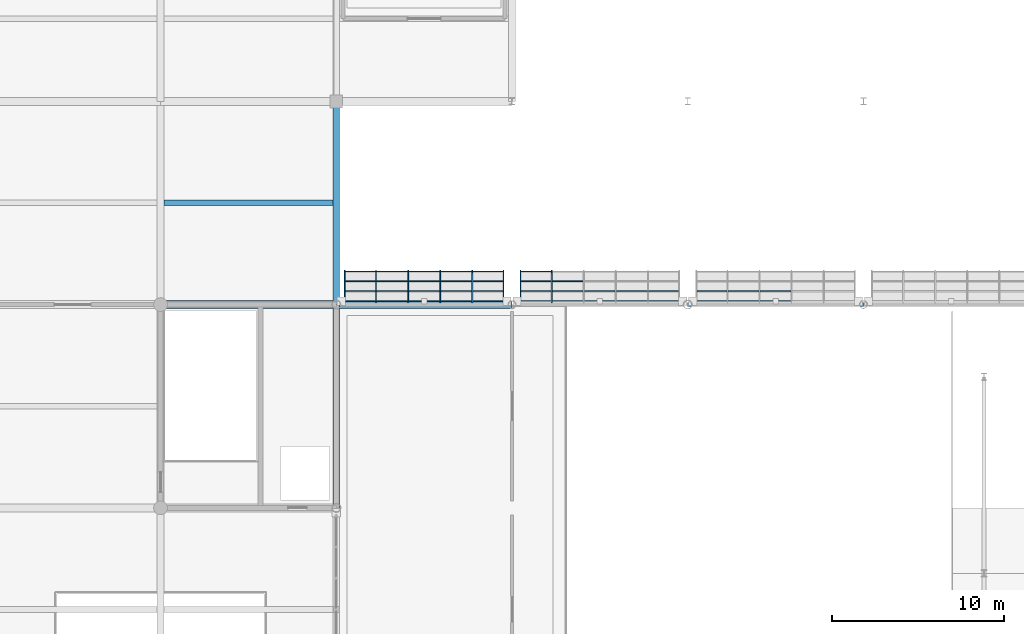
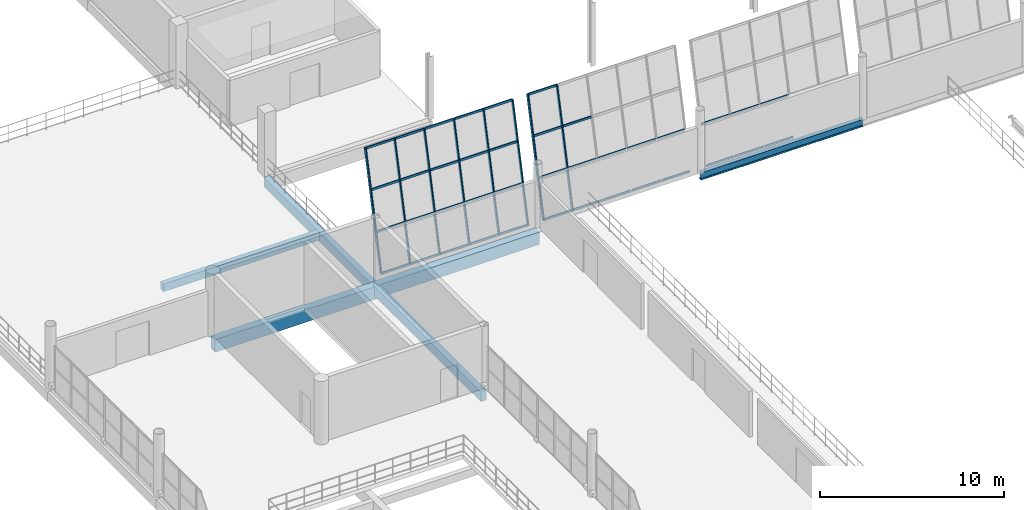
# One storey, part 78 of 157: 47 members, 6 beams, 3 elements without a shape of their own.
"""IFC4 building model written with IfcOpenShell, lengths in metres."""

from ifc_helpers import new_model, si_unit, direction, frame, origin, origin_2d, place, context, subcontext, project, spatial, rectangle, hollow_rectangle, i_section, extrude, material, material_profile, profile_set, type_object, element, aggregate, save


model = new_model("IFC4")

# Units and contexts
model_context = context("Model", 3, precision=1e-05, world=origin(), true_north=direction((0.0, 1.0)))
body_context = subcontext(model_context, "Body", "Model", "MODEL_VIEW")
ifc_project = project(units=[si_unit("LENGTHUNIT", "METRE"), si_unit("AREAUNIT", "SQUARE_METRE"), si_unit("VOLUMEUNIT", "CUBIC_METRE"), si_unit("PLANEANGLEUNIT", "RADIAN"), si_unit("MASSUNIT", "GRAM", prefix="KILO")], contexts=[model_context])

# Site, building, storey
site_placement = place(None, origin())
site = spatial("IfcSite", under=ifc_project, at=site_placement, CompositionType="ELEMENT")
building_placement = place(site_placement, origin())
building = spatial("IfcBuilding", under=site, at=building_placement, Name="Brelvane Convention Centre", CompositionType="ELEMENT")
storey_placement = place(building_placement, frame((0.0, 0.0, 10.800048828125)))
storey = spatial("IfcBuildingStorey", under=building, at=storey_placement, Name="L02", CompositionType="ELEMENT", Elevation=10.800048828125)

# Curtain wall, members
ifc_material_1 = material(Name="Anodised Aluminium Alloy 6063-T6", Category="aluminium")
curtain_wall_type = type_object("IfcCurtainWallType", Name="Curtain Wall CW-HULL-N", PredefinedType="USERDEFINED", material=ifc_material_1)
curtain_wall_1_placement = place(storey_placement, origin())
curtain_wall_1 = element("IfcCurtainWall", 1, at=curtain_wall_1_placement, inside=storey, type_object=curtain_wall_type, Name="Curtain Wall CW-HULL-N L02-HULL-PN-L02-1", ObjectType="UNITISED", PredefinedType="USERDEFINED")
ifc_material_2 = material(Name="Anodised Aluminium Alloy 6063-T6", Category="aluminium")
ifc_material_profile_1 = material_profile(ifc_material_2, hollow_rectangle(XDim=0.074951171875, YDim=0.199951171875, WallThickness=0.0048828125, InnerFilletRadius=0.0048828125, OuterFilletRadius=0.010009765625, at=origin_2d()), Name="ALU-M 200x75x5.0")
ifc_profile_set_1 = profile_set([ifc_material_profile_1], Name="Anodised Aluminium Alloy 6063-T6")
member_type_1 = type_object("IfcMemberType", Name="Curtain Mullion CW-M2", PredefinedType="MULLION", material=ifc_profile_set_1)
member_1_placement = place(storey_placement, frame((163.6875, 88.0, 0.050048828125), z_axis=(0.0, 0.228348908232, 0.973579363026), x_axis=(-1.0, 0.0, 0.0)))
member_1 = element("IfcMember", 2, at=member_1_placement, type_object=member_type_1, Name="CW-HULL-N mullion 1", PredefinedType="MULLION", context=body_context, shape_type="SweptSolid", body=[
    extrude(hollow_rectangle(XDim=0.074951171875, YDim=0.199951171875, WallThickness=0.0048828125, InnerFilletRadius=0.0048828125, OuterFilletRadius=0.010009765625, at=origin_2d()), origin(), (0.0, 0.0, 1.0), 7.54931640625),
])
member_2_placement = place(storey_placement, frame((165.510009765625, 88.0, 0.050048828125), z_axis=(0.0, 0.228348908232, 0.973579363026), x_axis=(-1.0, 0.0, 0.0)))
member_2 = element("IfcMember", 3, at=member_2_placement, type_object=member_type_1, Name="CW-HULL-N mullion 2", PredefinedType="MULLION", context=body_context, shape_type="SweptSolid", body=[
    extrude(hollow_rectangle(XDim=0.074951171875, YDim=0.199951171875, WallThickness=0.0048828125, InnerFilletRadius=0.0048828125, OuterFilletRadius=0.010009765625, at=origin_2d()), origin(), (0.0, 0.0, 1.0), 7.54931640625),
])
member_3_placement = place(storey_placement, frame((167.3701171875, 88.0, 0.050048828125), z_axis=(0.0, 0.228348908232, 0.973579363026), x_axis=(-1.0, 0.0, 0.0)))
member_3 = element("IfcMember", 4, at=member_3_placement, type_object=member_type_1, Name="CW-HULL-N mullion 3", PredefinedType="MULLION", context=body_context, shape_type="SweptSolid", body=[
    extrude(hollow_rectangle(XDim=0.074951171875, YDim=0.199951171875, WallThickness=0.0048828125, InnerFilletRadius=0.0048828125, OuterFilletRadius=0.010009765625, at=origin_2d()), origin(), (0.0, 0.0, 1.0), 7.54931640625),
])
member_4_placement = place(storey_placement, frame((169.22998046875, 88.0, 0.050048828125), z_axis=(0.0, 0.228348908232, 0.973579363026), x_axis=(-1.0, 0.0, 0.0)))
member_4 = element("IfcMember", 5, at=member_4_placement, type_object=member_type_1, Name="CW-HULL-N mullion 4", PredefinedType="MULLION", context=body_context, shape_type="SweptSolid", body=[
    extrude(hollow_rectangle(XDim=0.074951171875, YDim=0.199951171875, WallThickness=0.0048828125, InnerFilletRadius=0.0048828125, OuterFilletRadius=0.010009765625, at=origin_2d()), origin(), (0.0, 0.0, 1.0), 7.54931640625),
])
member_5_placement = place(storey_placement, frame((171.090087890625, 88.0, 0.050048828125), z_axis=(0.0, 0.228348908232, 0.973579363026), x_axis=(-1.0, 0.0, 0.0)))
member_5 = element("IfcMember", 6, at=member_5_placement, type_object=member_type_1, Name="CW-HULL-N mullion 5", PredefinedType="MULLION", context=body_context, shape_type="SweptSolid", body=[
    extrude(hollow_rectangle(XDim=0.074951171875, YDim=0.199951171875, WallThickness=0.0048828125, InnerFilletRadius=0.0048828125, OuterFilletRadius=0.010009765625, at=origin_2d()), origin(), (0.0, 0.0, 1.0), 7.54931640625),
])
member_6_placement = place(storey_placement, frame((172.91259765625, 88.0, 0.050048828125), z_axis=(0.0, 0.228348908232, 0.973579363026), x_axis=(-1.0, 0.0, 0.0)))
member_6 = element("IfcMember", 7, at=member_6_placement, type_object=member_type_1, Name="CW-HULL-N mullion 6", PredefinedType="MULLION", context=body_context, shape_type="SweptSolid", body=[
    extrude(hollow_rectangle(XDim=0.074951171875, YDim=0.199951171875, WallThickness=0.0048828125, InnerFilletRadius=0.0048828125, OuterFilletRadius=0.010009765625, at=origin_2d()), origin(), (0.0, 0.0, 1.0), 7.54931640625),
])

curtain_wall_2_placement = place(storey_placement, origin())
curtain_wall_2 = element("IfcCurtainWall", 8, at=curtain_wall_2_placement, inside=storey, type_object=curtain_wall_type, Name="Curtain Wall CW-HULL-N L02-HULL-PN-L02-2", ObjectType="UNITISED", PredefinedType="USERDEFINED")
member_7_placement = place(storey_placement, frame((173.887451171875, 88.0, 0.050048828125), z_axis=(0.0, 0.228348908232, 0.973579363026), x_axis=(-1.0, 0.0, 0.0)))
member_7 = element("IfcMember", 9, at=member_7_placement, type_object=member_type_1, Name="CW-HULL-N mullion 1", PredefinedType="MULLION", context=body_context, shape_type="SweptSolid", body=[
    extrude(hollow_rectangle(XDim=0.074951171875, YDim=0.199951171875, WallThickness=0.0048828125, InnerFilletRadius=0.0048828125, OuterFilletRadius=0.010009765625, at=origin_2d()), origin(), (0.0, 0.0, 1.0), 7.54931640625),
])
member_8_placement = place(storey_placement, frame((175.7099609375, 88.0, 0.050048828125), z_axis=(0.0, 0.228348908232, 0.973579363026), x_axis=(-1.0, 0.0, 0.0)))
member_8 = element("IfcMember", 10, at=member_8_placement, type_object=member_type_1, Name="CW-HULL-N mullion 2", PredefinedType="MULLION", context=body_context, shape_type="SweptSolid", body=[
    extrude(hollow_rectangle(XDim=0.074951171875, YDim=0.199951171875, WallThickness=0.0048828125, InnerFilletRadius=0.0048828125, OuterFilletRadius=0.010009765625, at=origin_2d()), origin(), (0.0, 0.0, 1.0), 7.54931640625),
])

# Member
ifc_material_3 = material(Name="Anodised Aluminium Alloy 6063-T6", Category="aluminium")
ifc_material_profile_2 = material_profile(ifc_material_3, hollow_rectangle(XDim=0.070068359375, YDim=0.14990234375, WallThickness=0.00439453125, InnerFilletRadius=0.00439453125, OuterFilletRadius=0.009033203125, at=origin_2d()), Name="ALU-T 150x70x4.5")
ifc_profile_set_2 = profile_set([ifc_material_profile_2], Name="Anodised Aluminium Alloy 6063-T6")
member_type_2 = type_object("IfcMemberType", Name="Curtain Transom CW-T2", PredefinedType="USERDEFINED", material=ifc_profile_set_2)
member_9_placement = place(storey_placement, frame((163.72509765625, 88.00830078125, 0.0849609375), z_axis=(1.0, 0.0, 0.0), x_axis=(0.0, 1.0, 0.0)))
member_9 = element("IfcMember", 11, at=member_9_placement, type_object=member_type_2, Name="CW-HULL-N transom 1.1", ObjectType="TRANSOM", PredefinedType="USERDEFINED", context=body_context, shape_type="SweptSolid", body=[
    extrude(hollow_rectangle(XDim=0.070068359375, YDim=0.14990234375, WallThickness=0.00439453125, InnerFilletRadius=0.00439453125, OuterFilletRadius=0.009033203125, at=origin_2d()), origin(), (0.0, 0.0, 1.0), 1.747314453125),
])

member_10_placement = place(storey_placement, frame((163.72509765625, 88.57470703125, 2.5), z_axis=(1.0, 0.0, 0.0), x_axis=(0.0, 1.0, 0.0)))
member_10 = element("IfcMember", 12, at=member_10_placement, type_object=member_type_2, Name="CW-HULL-N transom 1.2", ObjectType="TRANSOM", PredefinedType="USERDEFINED", context=body_context, shape_type="SweptSolid", body=[
    extrude(hollow_rectangle(XDim=0.070068359375, YDim=0.14990234375, WallThickness=0.00439453125, InnerFilletRadius=0.00439453125, OuterFilletRadius=0.009033203125, at=origin_2d()), origin(), (0.0, 0.0, 1.0), 1.747314453125),
])

member_11_placement = place(storey_placement, frame((163.72509765625, 89.149169921875, 4.949951171875), z_axis=(1.0, 0.0, 0.0), x_axis=(0.0, 1.0, 0.0)))
member_11 = element("IfcMember", 13, at=member_11_placement, type_object=member_type_2, Name="CW-HULL-N transom 1.3", ObjectType="TRANSOM", PredefinedType="USERDEFINED", context=body_context, shape_type="SweptSolid", body=[
    extrude(hollow_rectangle(XDim=0.070068359375, YDim=0.14990234375, WallThickness=0.00439453125, InnerFilletRadius=0.00439453125, OuterFilletRadius=0.009033203125, at=origin_2d()), origin(), (0.0, 0.0, 1.0), 1.747314453125),
])

member_12_placement = place(storey_placement, frame((163.72509765625, 89.7158203125, 7.364990234375), z_axis=(1.0, 0.0, 0.0), x_axis=(0.0, 1.0, 0.0)))
member_12 = element("IfcMember", 14, at=member_12_placement, type_object=member_type_2, Name="CW-HULL-N transom 1.4", ObjectType="TRANSOM", PredefinedType="USERDEFINED", context=body_context, shape_type="SweptSolid", body=[
    extrude(hollow_rectangle(XDim=0.070068359375, YDim=0.14990234375, WallThickness=0.00439453125, InnerFilletRadius=0.00439453125, OuterFilletRadius=0.009033203125, at=origin_2d()), origin(), (0.0, 0.0, 1.0), 1.747314453125),
])

member_13_placement = place(storey_placement, frame((165.547607421875, 88.00830078125, 0.0849609375), z_axis=(1.0, 0.0, 0.0), x_axis=(0.0, 1.0, 0.0)))
member_13 = element("IfcMember", 15, at=member_13_placement, type_object=member_type_2, Name="CW-HULL-N transom 2.1", ObjectType="TRANSOM", PredefinedType="USERDEFINED", context=body_context, shape_type="SweptSolid", body=[
    extrude(hollow_rectangle(XDim=0.070068359375, YDim=0.14990234375, WallThickness=0.00439453125, InnerFilletRadius=0.00439453125, OuterFilletRadius=0.009033203125, at=origin_2d()), origin(), (0.0, 0.0, 1.0), 1.784912109375),
])

member_14_placement = place(storey_placement, frame((165.547607421875, 88.57470703125, 2.5), z_axis=(1.0, 0.0, 0.0), x_axis=(0.0, 1.0, 0.0)))
member_14 = element("IfcMember", 16, at=member_14_placement, type_object=member_type_2, Name="CW-HULL-N transom 2.2", ObjectType="TRANSOM", PredefinedType="USERDEFINED", context=body_context, shape_type="SweptSolid", body=[
    extrude(hollow_rectangle(XDim=0.070068359375, YDim=0.14990234375, WallThickness=0.00439453125, InnerFilletRadius=0.00439453125, OuterFilletRadius=0.009033203125, at=origin_2d()), origin(), (0.0, 0.0, 1.0), 1.784912109375),
])

member_15_placement = place(storey_placement, frame((165.547607421875, 89.149169921875, 4.949951171875), z_axis=(1.0, 0.0, 0.0), x_axis=(0.0, 1.0, 0.0)))
member_15 = element("IfcMember", 17, at=member_15_placement, type_object=member_type_2, Name="CW-HULL-N transom 2.3", ObjectType="TRANSOM", PredefinedType="USERDEFINED", context=body_context, shape_type="SweptSolid", body=[
    extrude(hollow_rectangle(XDim=0.070068359375, YDim=0.14990234375, WallThickness=0.00439453125, InnerFilletRadius=0.00439453125, OuterFilletRadius=0.009033203125, at=origin_2d()), origin(), (0.0, 0.0, 1.0), 1.784912109375),
])

member_16_placement = place(storey_placement, frame((165.547607421875, 89.7158203125, 7.364990234375), z_axis=(1.0, 0.0, 0.0), x_axis=(0.0, 1.0, 0.0)))
member_16 = element("IfcMember", 18, at=member_16_placement, type_object=member_type_2, Name="CW-HULL-N transom 2.4", ObjectType="TRANSOM", PredefinedType="USERDEFINED", context=body_context, shape_type="SweptSolid", body=[
    extrude(hollow_rectangle(XDim=0.070068359375, YDim=0.14990234375, WallThickness=0.00439453125, InnerFilletRadius=0.00439453125, OuterFilletRadius=0.009033203125, at=origin_2d()), origin(), (0.0, 0.0, 1.0), 1.784912109375),
])

member_17_placement = place(storey_placement, frame((167.407470703125, 88.00830078125, 0.0849609375), z_axis=(1.0, 0.0, 0.0), x_axis=(0.0, 1.0, 0.0)))
member_17 = element("IfcMember", 19, at=member_17_placement, type_object=member_type_2, Name="CW-HULL-N transom 3.1", ObjectType="TRANSOM", PredefinedType="USERDEFINED", context=body_context, shape_type="SweptSolid", body=[
    extrude(hollow_rectangle(XDim=0.070068359375, YDim=0.14990234375, WallThickness=0.00439453125, InnerFilletRadius=0.00439453125, OuterFilletRadius=0.009033203125, at=origin_2d()), origin(), (0.0, 0.0, 1.0), 1.784912109375),
])

member_18_placement = place(storey_placement, frame((167.407470703125, 88.57470703125, 2.5), z_axis=(1.0, 0.0, 0.0), x_axis=(0.0, 1.0, 0.0)))
member_18 = element("IfcMember", 20, at=member_18_placement, type_object=member_type_2, Name="CW-HULL-N transom 3.2", ObjectType="TRANSOM", PredefinedType="USERDEFINED", context=body_context, shape_type="SweptSolid", body=[
    extrude(hollow_rectangle(XDim=0.070068359375, YDim=0.14990234375, WallThickness=0.00439453125, InnerFilletRadius=0.00439453125, OuterFilletRadius=0.009033203125, at=origin_2d()), origin(), (0.0, 0.0, 1.0), 1.784912109375),
])

member_19_placement = place(storey_placement, frame((167.407470703125, 89.149169921875, 4.949951171875), z_axis=(1.0, 0.0, 0.0), x_axis=(0.0, 1.0, 0.0)))
member_19 = element("IfcMember", 21, at=member_19_placement, type_object=member_type_2, Name="CW-HULL-N transom 3.3", ObjectType="TRANSOM", PredefinedType="USERDEFINED", context=body_context, shape_type="SweptSolid", body=[
    extrude(hollow_rectangle(XDim=0.070068359375, YDim=0.14990234375, WallThickness=0.00439453125, InnerFilletRadius=0.00439453125, OuterFilletRadius=0.009033203125, at=origin_2d()), origin(), (0.0, 0.0, 1.0), 1.784912109375),
])

member_20_placement = place(storey_placement, frame((167.407470703125, 89.7158203125, 7.364990234375), z_axis=(1.0, 0.0, 0.0), x_axis=(0.0, 1.0, 0.0)))
member_20 = element("IfcMember", 22, at=member_20_placement, type_object=member_type_2, Name="CW-HULL-N transom 3.4", ObjectType="TRANSOM", PredefinedType="USERDEFINED", context=body_context, shape_type="SweptSolid", body=[
    extrude(hollow_rectangle(XDim=0.070068359375, YDim=0.14990234375, WallThickness=0.00439453125, InnerFilletRadius=0.00439453125, OuterFilletRadius=0.009033203125, at=origin_2d()), origin(), (0.0, 0.0, 1.0), 1.784912109375),
])

member_21_placement = place(storey_placement, frame((169.267578125, 88.00830078125, 0.0849609375), z_axis=(1.0, 0.0, 0.0), x_axis=(0.0, 1.0, 0.0)))
member_21 = element("IfcMember", 23, at=member_21_placement, type_object=member_type_2, Name="CW-HULL-N transom 4.1", ObjectType="TRANSOM", PredefinedType="USERDEFINED", context=body_context, shape_type="SweptSolid", body=[
    extrude(hollow_rectangle(XDim=0.070068359375, YDim=0.14990234375, WallThickness=0.00439453125, InnerFilletRadius=0.00439453125, OuterFilletRadius=0.009033203125, at=origin_2d()), origin(), (0.0, 0.0, 1.0), 1.784912109375),
])

member_22_placement = place(storey_placement, frame((169.267578125, 88.57470703125, 2.5), z_axis=(1.0, 0.0, 0.0), x_axis=(0.0, 1.0, 0.0)))
member_22 = element("IfcMember", 24, at=member_22_placement, type_object=member_type_2, Name="CW-HULL-N transom 4.2", ObjectType="TRANSOM", PredefinedType="USERDEFINED", context=body_context, shape_type="SweptSolid", body=[
    extrude(hollow_rectangle(XDim=0.070068359375, YDim=0.14990234375, WallThickness=0.00439453125, InnerFilletRadius=0.00439453125, OuterFilletRadius=0.009033203125, at=origin_2d()), origin(), (0.0, 0.0, 1.0), 1.784912109375),
])

member_23_placement = place(storey_placement, frame((169.267578125, 89.149169921875, 4.949951171875), z_axis=(1.0, 0.0, 0.0), x_axis=(0.0, 1.0, 0.0)))
member_23 = element("IfcMember", 25, at=member_23_placement, type_object=member_type_2, Name="CW-HULL-N transom 4.3", ObjectType="TRANSOM", PredefinedType="USERDEFINED", context=body_context, shape_type="SweptSolid", body=[
    extrude(hollow_rectangle(XDim=0.070068359375, YDim=0.14990234375, WallThickness=0.00439453125, InnerFilletRadius=0.00439453125, OuterFilletRadius=0.009033203125, at=origin_2d()), origin(), (0.0, 0.0, 1.0), 1.784912109375),
])

member_24_placement = place(storey_placement, frame((169.267578125, 89.7158203125, 7.364990234375), z_axis=(1.0, 0.0, 0.0), x_axis=(0.0, 1.0, 0.0)))
member_24 = element("IfcMember", 26, at=member_24_placement, type_object=member_type_2, Name="CW-HULL-N transom 4.4", ObjectType="TRANSOM", PredefinedType="USERDEFINED", context=body_context, shape_type="SweptSolid", body=[
    extrude(hollow_rectangle(XDim=0.070068359375, YDim=0.14990234375, WallThickness=0.00439453125, InnerFilletRadius=0.00439453125, OuterFilletRadius=0.009033203125, at=origin_2d()), origin(), (0.0, 0.0, 1.0), 1.784912109375),
])

member_25_placement = place(storey_placement, frame((171.12744140625, 88.00830078125, 0.0849609375), z_axis=(1.0, 0.0, 0.0), x_axis=(0.0, 1.0, 0.0)))
member_25 = element("IfcMember", 27, at=member_25_placement, type_object=member_type_2, Name="CW-HULL-N transom 5.1", ObjectType="TRANSOM", PredefinedType="USERDEFINED", context=body_context, shape_type="SweptSolid", body=[
    extrude(hollow_rectangle(XDim=0.070068359375, YDim=0.14990234375, WallThickness=0.00439453125, InnerFilletRadius=0.00439453125, OuterFilletRadius=0.009033203125, at=origin_2d()), origin(), (0.0, 0.0, 1.0), 1.74755859375),
])

member_26_placement = place(storey_placement, frame((171.12744140625, 88.57470703125, 2.5), z_axis=(1.0, 0.0, 0.0), x_axis=(0.0, 1.0, 0.0)))
member_26 = element("IfcMember", 28, at=member_26_placement, type_object=member_type_2, Name="CW-HULL-N transom 5.2", ObjectType="TRANSOM", PredefinedType="USERDEFINED", context=body_context, shape_type="SweptSolid", body=[
    extrude(hollow_rectangle(XDim=0.070068359375, YDim=0.14990234375, WallThickness=0.00439453125, InnerFilletRadius=0.00439453125, OuterFilletRadius=0.009033203125, at=origin_2d()), origin(), (0.0, 0.0, 1.0), 1.74755859375),
])

member_27_placement = place(storey_placement, frame((171.12744140625, 89.149169921875, 4.949951171875), z_axis=(1.0, 0.0, 0.0), x_axis=(0.0, 1.0, 0.0)))
member_27 = element("IfcMember", 29, at=member_27_placement, type_object=member_type_2, Name="CW-HULL-N transom 5.3", ObjectType="TRANSOM", PredefinedType="USERDEFINED", context=body_context, shape_type="SweptSolid", body=[
    extrude(hollow_rectangle(XDim=0.070068359375, YDim=0.14990234375, WallThickness=0.00439453125, InnerFilletRadius=0.00439453125, OuterFilletRadius=0.009033203125, at=origin_2d()), origin(), (0.0, 0.0, 1.0), 1.74755859375),
])

member_28_placement = place(storey_placement, frame((171.12744140625, 89.7158203125, 7.364990234375), z_axis=(1.0, 0.0, 0.0), x_axis=(0.0, 1.0, 0.0)))
member_28 = element("IfcMember", 30, at=member_28_placement, type_object=member_type_2, Name="CW-HULL-N transom 5.4", ObjectType="TRANSOM", PredefinedType="USERDEFINED", context=body_context, shape_type="SweptSolid", body=[
    extrude(hollow_rectangle(XDim=0.070068359375, YDim=0.14990234375, WallThickness=0.00439453125, InnerFilletRadius=0.00439453125, OuterFilletRadius=0.009033203125, at=origin_2d()), origin(), (0.0, 0.0, 1.0), 1.74755859375),
])

aggregate(curtain_wall_1, [member_1, member_2, member_3, member_4, member_5, member_6, member_9, member_10, member_11, member_12, member_13, member_14, member_15, member_16, member_17, member_18, member_19, member_20, member_21, member_22, member_23, member_24, member_25, member_26, member_27, member_28])

member_29_placement = place(storey_placement, frame((173.925048828125, 88.00830078125, 0.0849609375), z_axis=(1.0, 0.0, 0.0), x_axis=(0.0, 1.0, 0.0)))
member_29 = element("IfcMember", 31, at=member_29_placement, type_object=member_type_2, Name="CW-HULL-N transom 1.1", ObjectType="TRANSOM", PredefinedType="USERDEFINED", context=body_context, shape_type="SweptSolid", body=[
    extrude(hollow_rectangle(XDim=0.070068359375, YDim=0.14990234375, WallThickness=0.00439453125, InnerFilletRadius=0.00439453125, OuterFilletRadius=0.009033203125, at=origin_2d()), origin(), (0.0, 0.0, 1.0), 1.74755859375),
])

member_30_placement = place(storey_placement, frame((173.925048828125, 88.57470703125, 2.5), z_axis=(1.0, 0.0, 0.0), x_axis=(0.0, 1.0, 0.0)))
member_30 = element("IfcMember", 32, at=member_30_placement, type_object=member_type_2, Name="CW-HULL-N transom 1.2", ObjectType="TRANSOM", PredefinedType="USERDEFINED", context=body_context, shape_type="SweptSolid", body=[
    extrude(hollow_rectangle(XDim=0.070068359375, YDim=0.14990234375, WallThickness=0.00439453125, InnerFilletRadius=0.00439453125, OuterFilletRadius=0.009033203125, at=origin_2d()), origin(), (0.0, 0.0, 1.0), 1.74755859375),
])

member_31_placement = place(storey_placement, frame((173.925048828125, 89.149169921875, 4.949951171875), z_axis=(1.0, 0.0, 0.0), x_axis=(0.0, 1.0, 0.0)))
member_31 = element("IfcMember", 33, at=member_31_placement, type_object=member_type_2, Name="CW-HULL-N transom 1.3", ObjectType="TRANSOM", PredefinedType="USERDEFINED", context=body_context, shape_type="SweptSolid", body=[
    extrude(hollow_rectangle(XDim=0.070068359375, YDim=0.14990234375, WallThickness=0.00439453125, InnerFilletRadius=0.00439453125, OuterFilletRadius=0.009033203125, at=origin_2d()), origin(), (0.0, 0.0, 1.0), 1.74755859375),
])

member_32_placement = place(storey_placement, frame((173.925048828125, 89.7158203125, 7.364990234375), z_axis=(1.0, 0.0, 0.0), x_axis=(0.0, 1.0, 0.0)))
member_32 = element("IfcMember", 34, at=member_32_placement, type_object=member_type_2, Name="CW-HULL-N transom 1.4", ObjectType="TRANSOM", PredefinedType="USERDEFINED", context=body_context, shape_type="SweptSolid", body=[
    extrude(hollow_rectangle(XDim=0.070068359375, YDim=0.14990234375, WallThickness=0.00439453125, InnerFilletRadius=0.00439453125, OuterFilletRadius=0.009033203125, at=origin_2d()), origin(), (0.0, 0.0, 1.0), 1.74755859375),
])

member_33_placement = place(storey_placement, frame((175.74755859375, 88.00830078125, 0.0849609375), z_axis=(1.0, 0.0, 0.0), x_axis=(0.0, 1.0, 0.0)))
member_33 = element("IfcMember", 35, at=member_33_placement, type_object=member_type_2, Name="CW-HULL-N transom 2.1", ObjectType="TRANSOM", PredefinedType="USERDEFINED", context=body_context, shape_type="SweptSolid", body=[
    extrude(hollow_rectangle(XDim=0.070068359375, YDim=0.14990234375, WallThickness=0.00439453125, InnerFilletRadius=0.00439453125, OuterFilletRadius=0.009033203125, at=origin_2d()), origin(), (0.0, 0.0, 1.0), 1.784912109375),
])

member_34_placement = place(storey_placement, frame((175.74755859375, 88.57470703125, 2.5), z_axis=(1.0, 0.0, 0.0), x_axis=(0.0, 1.0, 0.0)))
member_34 = element("IfcMember", 36, at=member_34_placement, type_object=member_type_2, Name="CW-HULL-N transom 2.2", ObjectType="TRANSOM", PredefinedType="USERDEFINED", context=body_context, shape_type="SweptSolid", body=[
    extrude(hollow_rectangle(XDim=0.070068359375, YDim=0.14990234375, WallThickness=0.00439453125, InnerFilletRadius=0.00439453125, OuterFilletRadius=0.009033203125, at=origin_2d()), origin(), (0.0, 0.0, 1.0), 1.784912109375),
])

member_35_placement = place(storey_placement, frame((175.74755859375, 89.149169921875, 4.949951171875), z_axis=(1.0, 0.0, 0.0), x_axis=(0.0, 1.0, 0.0)))
member_35 = element("IfcMember", 37, at=member_35_placement, type_object=member_type_2, Name="CW-HULL-N transom 2.3", ObjectType="TRANSOM", PredefinedType="USERDEFINED", context=body_context, shape_type="SweptSolid", body=[
    extrude(hollow_rectangle(XDim=0.070068359375, YDim=0.14990234375, WallThickness=0.00439453125, InnerFilletRadius=0.00439453125, OuterFilletRadius=0.009033203125, at=origin_2d()), origin(), (0.0, 0.0, 1.0), 1.784912109375),
])

member_36_placement = place(storey_placement, frame((177.607421875, 88.00830078125, 0.0849609375), z_axis=(1.0, 0.0, 0.0), x_axis=(0.0, 1.0, 0.0)))
member_36 = element("IfcMember", 38, at=member_36_placement, type_object=member_type_2, Name="CW-HULL-N transom 3.1", ObjectType="TRANSOM", PredefinedType="USERDEFINED", context=body_context, shape_type="SweptSolid", body=[
    extrude(hollow_rectangle(XDim=0.070068359375, YDim=0.14990234375, WallThickness=0.00439453125, InnerFilletRadius=0.00439453125, OuterFilletRadius=0.009033203125, at=origin_2d()), origin(), (0.0, 0.0, 1.0), 1.78515625),
])

member_37_placement = place(storey_placement, frame((177.607421875, 88.57470703125, 2.5), z_axis=(1.0, 0.0, 0.0), x_axis=(0.0, 1.0, 0.0)))
member_37 = element("IfcMember", 39, at=member_37_placement, type_object=member_type_2, Name="CW-HULL-N transom 3.2", ObjectType="TRANSOM", PredefinedType="USERDEFINED", context=body_context, shape_type="SweptSolid", body=[
    extrude(hollow_rectangle(XDim=0.070068359375, YDim=0.14990234375, WallThickness=0.00439453125, InnerFilletRadius=0.00439453125, OuterFilletRadius=0.009033203125, at=origin_2d()), origin(), (0.0, 0.0, 1.0), 1.78515625),
])

member_38_placement = place(storey_placement, frame((179.467529296875, 88.00830078125, 0.0849609375), z_axis=(1.0, 0.0, 0.0), x_axis=(0.0, 1.0, 0.0)))
member_38 = element("IfcMember", 40, at=member_38_placement, type_object=member_type_2, Name="CW-HULL-N transom 4.1", ObjectType="TRANSOM", PredefinedType="USERDEFINED", context=body_context, shape_type="SweptSolid", body=[
    extrude(hollow_rectangle(XDim=0.070068359375, YDim=0.14990234375, WallThickness=0.00439453125, InnerFilletRadius=0.00439453125, OuterFilletRadius=0.009033203125, at=origin_2d()), origin(), (0.0, 0.0, 1.0), 1.784912109375),
])

member_39_placement = place(storey_placement, frame((179.467529296875, 88.57470703125, 2.5), z_axis=(1.0, 0.0, 0.0), x_axis=(0.0, 1.0, 0.0)))
member_39 = element("IfcMember", 41, at=member_39_placement, type_object=member_type_2, Name="CW-HULL-N transom 4.2", ObjectType="TRANSOM", PredefinedType="USERDEFINED", context=body_context, shape_type="SweptSolid", body=[
    extrude(hollow_rectangle(XDim=0.070068359375, YDim=0.14990234375, WallThickness=0.00439453125, InnerFilletRadius=0.00439453125, OuterFilletRadius=0.009033203125, at=origin_2d()), origin(), (0.0, 0.0, 1.0), 1.784912109375),
])

member_40_placement = place(storey_placement, frame((181.327392578125, 88.00830078125, 0.0849609375), z_axis=(1.0, 0.0, 0.0), x_axis=(0.0, 1.0, 0.0)))
member_40 = element("IfcMember", 42, at=member_40_placement, type_object=member_type_2, Name="CW-HULL-N transom 5.1", ObjectType="TRANSOM", PredefinedType="USERDEFINED", context=body_context, shape_type="SweptSolid", body=[
    extrude(hollow_rectangle(XDim=0.070068359375, YDim=0.14990234375, WallThickness=0.00439453125, InnerFilletRadius=0.00439453125, OuterFilletRadius=0.009033203125, at=origin_2d()), origin(), (0.0, 0.0, 1.0), 1.74755859375),
])

member_41_placement = place(storey_placement, frame((181.327392578125, 88.57470703125, 2.5), z_axis=(1.0, 0.0, 0.0), x_axis=(0.0, 1.0, 0.0)))
member_41 = element("IfcMember", 43, at=member_41_placement, type_object=member_type_2, Name="CW-HULL-N transom 5.2", ObjectType="TRANSOM", PredefinedType="USERDEFINED", context=body_context, shape_type="SweptSolid", body=[
    extrude(hollow_rectangle(XDim=0.070068359375, YDim=0.14990234375, WallThickness=0.00439453125, InnerFilletRadius=0.00439453125, OuterFilletRadius=0.009033203125, at=origin_2d()), origin(), (0.0, 0.0, 1.0), 1.74755859375),
])

aggregate(curtain_wall_2, [member_7, member_8, member_29, member_30, member_31, member_32, member_33, member_34, member_35, member_36, member_37, member_38, member_39, member_40, member_41])

# Curtain wall, members
curtain_wall_3_placement = place(storey_placement, origin())
curtain_wall_3 = element("IfcCurtainWall", 44, at=curtain_wall_3_placement, inside=storey, type_object=curtain_wall_type, Name="Curtain Wall CW-HULL-N L02-HULL-PN-L02-3", ObjectType="UNITISED", PredefinedType="USERDEFINED")
member_42_placement = place(storey_placement, frame((184.125, 88.00830078125, 0.0849609375), z_axis=(1.0, 0.0, 0.0), x_axis=(0.0, 1.0, 0.0)))
member_42 = element("IfcMember", 45, at=member_42_placement, type_object=member_type_2, Name="CW-HULL-N transom 1.1", ObjectType="TRANSOM", PredefinedType="USERDEFINED", context=body_context, shape_type="SweptSolid", body=[
    extrude(hollow_rectangle(XDim=0.070068359375, YDim=0.14990234375, WallThickness=0.00439453125, InnerFilletRadius=0.00439453125, OuterFilletRadius=0.009033203125, at=origin_2d()), origin(), (0.0, 0.0, 1.0), 1.74755859375),
])
member_43_placement = place(storey_placement, frame((184.125, 88.57470703125, 2.5), z_axis=(1.0, 0.0, 0.0), x_axis=(0.0, 1.0, 0.0)))
member_43 = element("IfcMember", 46, at=member_43_placement, type_object=member_type_2, Name="CW-HULL-N transom 1.2", ObjectType="TRANSOM", PredefinedType="USERDEFINED", context=body_context, shape_type="SweptSolid", body=[
    extrude(hollow_rectangle(XDim=0.070068359375, YDim=0.14990234375, WallThickness=0.00439453125, InnerFilletRadius=0.00439453125, OuterFilletRadius=0.009033203125, at=origin_2d()), origin(), (0.0, 0.0, 1.0), 1.74755859375),
])
member_44_placement = place(storey_placement, frame((185.947509765625, 88.00830078125, 0.0849609375), z_axis=(1.0, 0.0, 0.0), x_axis=(0.0, 1.0, 0.0)))
member_44 = element("IfcMember", 47, at=member_44_placement, type_object=member_type_2, Name="CW-HULL-N transom 2.1", ObjectType="TRANSOM", PredefinedType="USERDEFINED", context=body_context, shape_type="SweptSolid", body=[
    extrude(hollow_rectangle(XDim=0.070068359375, YDim=0.14990234375, WallThickness=0.00439453125, InnerFilletRadius=0.00439453125, OuterFilletRadius=0.009033203125, at=origin_2d()), origin(), (0.0, 0.0, 1.0), 1.784912109375),
])
member_45_placement = place(storey_placement, frame((185.947509765625, 88.57470703125, 2.5), z_axis=(1.0, 0.0, 0.0), x_axis=(0.0, 1.0, 0.0)))
member_45 = element("IfcMember", 48, at=member_45_placement, type_object=member_type_2, Name="CW-HULL-N transom 2.2", ObjectType="TRANSOM", PredefinedType="USERDEFINED", context=body_context, shape_type="SweptSolid", body=[
    extrude(hollow_rectangle(XDim=0.070068359375, YDim=0.14990234375, WallThickness=0.00439453125, InnerFilletRadius=0.00439453125, OuterFilletRadius=0.009033203125, at=origin_2d()), origin(), (0.0, 0.0, 1.0), 1.784912109375),
])
member_46_placement = place(storey_placement, frame((187.8076171875, 88.00830078125, 0.0849609375), z_axis=(1.0, 0.0, 0.0), x_axis=(0.0, 1.0, 0.0)))
member_46 = element("IfcMember", 49, at=member_46_placement, type_object=member_type_2, Name="CW-HULL-N transom 3.1", ObjectType="TRANSOM", PredefinedType="USERDEFINED", context=body_context, shape_type="SweptSolid", body=[
    extrude(hollow_rectangle(XDim=0.070068359375, YDim=0.14990234375, WallThickness=0.00439453125, InnerFilletRadius=0.00439453125, OuterFilletRadius=0.009033203125, at=origin_2d()), origin(), (0.0, 0.0, 1.0), 1.784912109375),
])
member_47_placement = place(storey_placement, frame((187.8076171875, 88.57470703125, 2.5), z_axis=(1.0, 0.0, 0.0), x_axis=(0.0, 1.0, 0.0)))
member_47 = element("IfcMember", 50, at=member_47_placement, type_object=member_type_2, Name="CW-HULL-N transom 3.2", ObjectType="TRANSOM", PredefinedType="USERDEFINED", context=body_context, shape_type="SweptSolid", body=[
    extrude(hollow_rectangle(XDim=0.070068359375, YDim=0.14990234375, WallThickness=0.00439453125, InnerFilletRadius=0.00439453125, OuterFilletRadius=0.009033203125, at=origin_2d()), origin(), (0.0, 0.0, 1.0), 1.784912109375),
])
aggregate(curtain_wall_3, [member_42, member_43, member_44, member_45, member_46, member_47])

# Beams
ifc_material_4 = material(Name="Concrete M40", Category="concrete")
ifc_material_profile_3 = material_profile(ifc_material_4, rectangle(XDim=0.4599609375, YDim=0.840087890625, at=origin_2d()), Name="RC 460x840")
ifc_profile_set_3 = profile_set([ifc_material_profile_3], Name="Concrete M40")
beam_type_1 = type_object("IfcBeamType", Name="RC Beam B-RC11 (RC 460x840)", PredefinedType="BEAM", material=ifc_profile_set_3)
for number, where, z_axis, x_axis, name in (
    (51, (153.0, 87.800048828125, -0.72998046875), (1.0, 0.0, 0.0), (0.0, 1.0, 0.0), "L02 Beam 16-17/J"),
    (52, (163.199951171875, 87.800048828125, -0.699951171875), (1.0, 0.0, 0.0), (0.0, 1.0, 0.0), "L02 Beam 17-18/J"),
):
    element("IfcBeam", number, at=place(storey_placement, frame(where, z_axis=z_axis, x_axis=x_axis)), inside=storey, type_object=beam_type_1, Name=name, PredefinedType="BEAM", context=body_context, shape_type="SweptSolid", body=[
        extrude(rectangle(XDim=0.4599609375, YDim=0.840087890625, at=origin_2d()), origin(), (0.0, 0.0, 1.0), 10.199951171875),
    ])
ifc_material_5 = material(Name="Concrete M40", Category="concrete")
ifc_material_profile_4 = material_profile(ifc_material_5, rectangle(XDim=0.320068359375, YDim=0.52001953125, at=origin_2d()), Name="RC 320x520")
ifc_profile_set_4 = profile_set([ifc_material_profile_4], Name="Concrete M40")
beam_type_2 = type_object("IfcBeamType", Name="RC Joist J-RC4 (RC 320x520)", PredefinedType="JOIST", material=ifc_profile_set_4)
beam_1_placement = place(storey_placement, frame((153.2099609375, 93.699951171875, -0.570068359375), z_axis=(1.0, 0.0, 0.0), x_axis=(0.0, 1.0, 0.0)))
element("IfcBeam", 53, at=beam_1_placement, inside=storey, type_object=beam_type_2, Name="L02 Secondary Joist 16-17/JK", PredefinedType="JOIST", context=body_context, shape_type="SweptSolid", body=[
    extrude(rectangle(XDim=0.320068359375, YDim=0.52001953125, at=origin_2d()), origin(), (0.0, 0.0, 1.0), 9.81005859375),
])
ifc_material_6 = material(Name="Concrete M40", Category="concrete")
ifc_material_profile_5 = material_profile(ifc_material_6, rectangle(XDim=0.360107421875, YDim=0.639892578125, at=origin_2d()), Name="RC 360x640")
ifc_profile_set_5 = profile_set([ifc_material_profile_5], Name="Concrete M40")
beam_type_3 = type_object("IfcBeamType", Name="RC Spandrel SP-RC3 (RC 360x640)", PredefinedType="SPANDREL", material=ifc_profile_set_5)
for number, where, z_axis, x_axis, name in (
    (54, (163.199951171875, 76.0, -0.60009765625), (0.0, 1.0, 0.0), (-1.0, 0.0, 0.0), "L02 Girder 17/H-J"),
    (55, (163.199951171875, 87.800048828125, -0.630126953125), (0.0, 1.0, 0.0), (-1.0, 0.0, 0.0), "L02 Girder 17/J-K"),
):
    element("IfcBeam", number, at=place(storey_placement, frame(where, z_axis=z_axis, x_axis=x_axis)), inside=storey, type_object=beam_type_3, Name=name, PredefinedType="SPANDREL", context=body_context, shape_type="SweptSolid", body=[
        extrude(rectangle(XDim=0.360107421875, YDim=0.639892578125, at=origin_2d()), origin(), (0.0, 0.0, 1.0), 11.800048828125),
    ])
ifc_material_7 = material(Name="Steel E350 (350 MPa)", Category="steel")
ifc_material_profile_6 = material_profile(ifc_material_7, i_section(OverallWidth=0.25, OverallDepth=0.5, WebThickness=0.010009765625, FlangeThickness=0.0146484375, FilletRadius=0.01611328125, at=origin_2d()), Name="ISWB 500")
ifc_profile_set_6 = profile_set([ifc_material_profile_6], Name="Steel E350 (350 MPa)")
beam_type_4 = type_object("IfcBeamType", Name="Steel Spandrel SP-ST1 (ISWB 500)", PredefinedType="SPANDREL", material=ifc_profile_set_6)
beam_2_placement = place(storey_placement, frame((183.60009765625, 87.800048828125, -0.25), z_axis=(1.0, 0.0, 0.0), x_axis=(0.0, 1.0, 0.0)))
element("IfcBeam", 56, at=beam_2_placement, inside=storey, type_object=beam_type_4, Name="Plenary North Wall Girt L02-3", PredefinedType="SPANDREL", context=body_context, shape_type="SweptSolid", body=[
    extrude(i_section(OverallWidth=0.25, OverallDepth=0.5, WebThickness=0.010009765625, FlangeThickness=0.0146484375, FilletRadius=0.01611328125, at=origin_2d()), origin(), (0.0, 0.0, 1.0), 10.199951171875),
])

save(model, "model.ifc")
